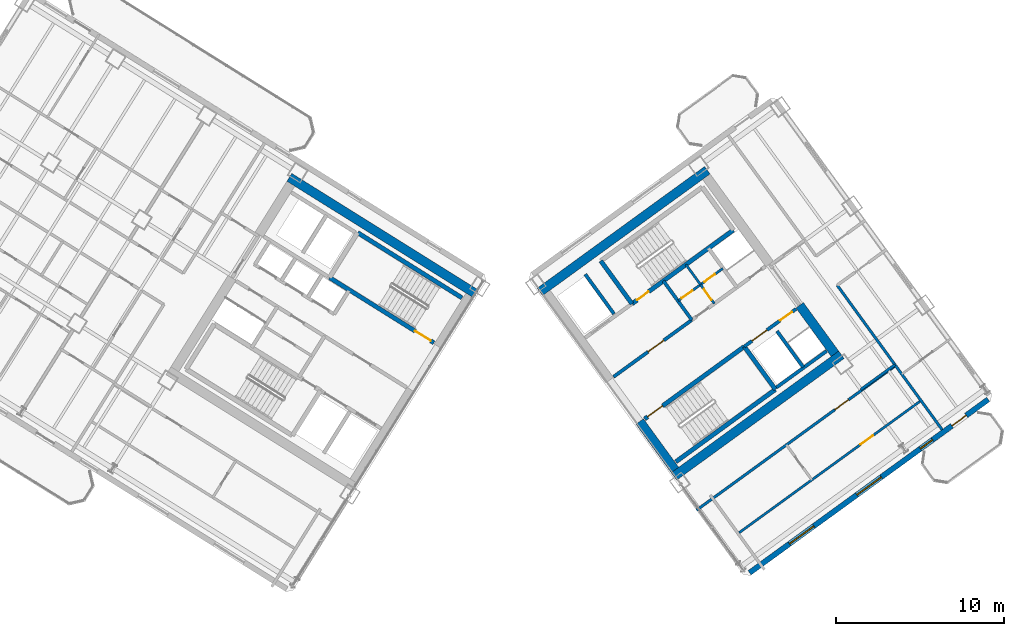
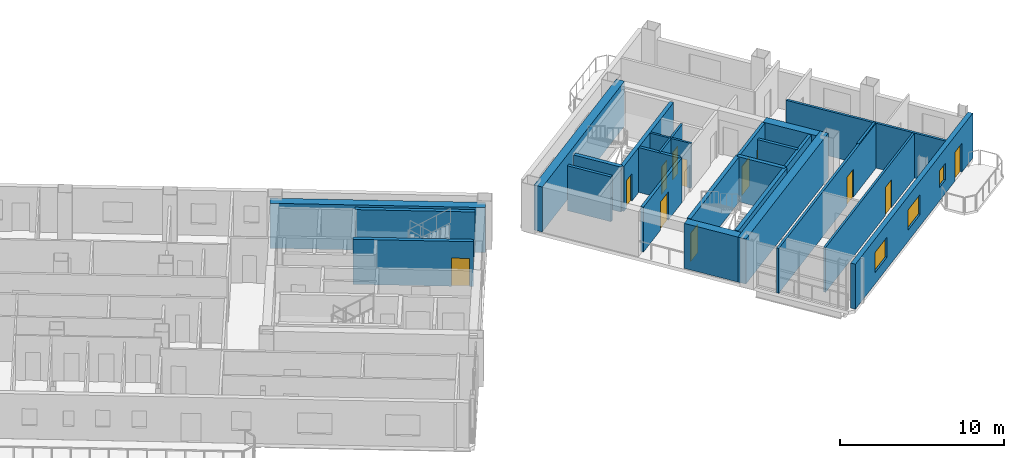
# One storey, part 13 of 18: 26 walls, 12 doors, 3 windows, 15 openings.
"""IFC4 building model written with IfcOpenShell, lengths in metres."""

from ifc_helpers import new_model, si_unit, direction, frame, frame_2d, origin, place, context, subcontext, project, spatial, rectangle, extrude, source, transform, mapped, material, layer, layer_set, type_object, element, fill, save


model = new_model("IFC4")

# Units and contexts
model_context = context("Model", 3, precision=1e-05, world=origin(), true_north=direction((0.0, 1.0)))
body_context = subcontext(model_context, "Body", "Model", "MODEL_VIEW")
ifc_project = project(units=[si_unit("LENGTHUNIT", "METRE"), si_unit("AREAUNIT", "SQUARE_METRE"), si_unit("VOLUMEUNIT", "CUBIC_METRE"), si_unit("PLANEANGLEUNIT", "RADIAN"), si_unit("MASSUNIT", "GRAM", prefix="KILO")], contexts=[model_context])

# Site, building, storey
site_placement = place(None, origin())
site = spatial("IfcSite", under=ifc_project, at=site_placement, CompositionType="ELEMENT")
building_placement = place(site_placement, origin())
building = spatial("IfcBuilding", under=site, at=building_placement, Name="Tlacorven Tower", CompositionType="ELEMENT")
storey_placement = place(building_placement, frame((0.0, 0.0, 140.699951171875)))
storey = spatial("IfcBuildingStorey", under=building, at=storey_placement, Name="L35", CompositionType="ELEMENT", Elevation=140.699951171875)

# Walls
ifc_material_1 = material(Name="Concrete C60/75", Category="concrete")
ifc_layer_1 = layer(ifc_material_1, 0.550048828125)
ifc_layer_set_1 = layer_set([ifc_layer_1], Name="Concrete C60/75")
wall_type_1 = type_object("IfcWallType", Name="WL-COR-550", PredefinedType="SHEAR", material=ifc_layer_set_1)
wall_1_placement = place(storey_placement, frame((40.572998046875, 24.010009765625, 0.0), z_axis=(0.0, 0.0, 1.0), x_axis=(-0.848047359947, 0.529920442413, 0.0)))
element("IfcWall", 1, at=wall_1_placement, inside=storey, type_object=wall_type_1, Name="L35 W core shear wall S1", PredefinedType="SHEAR", context=body_context, shape_type="SweptSolid", body=[
    extrude(rectangle(XDim=13.139892578125, YDim=0.550048828125, at=frame_2d((6.56982421875, 0.0))), origin(), (0.0, 0.0, 1.0), 3.35009765625),
])
for number, where, z_axis, x_axis, name in (
    (2, (52.35888671875, 13.1396484375, 0.0), (0.0, 0.0, 1.0), (0.809014896919, 0.587788139183, 0.0), "L35 E core shear wall S1"),
    (3, (44.364990234375, 24.142333984375, 0.0), (0.0, 0.0, 1.0), (0.809024304885, 0.587775190107, 0.0), "L35 E core shear wall S2"),
):
    element("IfcWall", number, at=place(storey_placement, frame(where, z_axis=z_axis, x_axis=x_axis)), inside=storey, type_object=wall_type_1, Name=name, PredefinedType="SHEAR", context=body_context, shape_type="SweptSolid", body=[
        extrude(rectangle(XDim=12.340087890625, YDim=0.550048828125, at=frame_2d((6.169921875, 0.0))), origin(), (0.0, 0.0, 1.0), 3.35009765625),
    ])
for number, where, z_axis, x_axis, name in (
    (4, (52.419677734375, 13.52392578125, 0.0), (0.0, 0.0, 1.0), (-0.587802113096, 0.809004744015, 0.0), "L35 E core end wall E1.1"),
    (5, (61.9580078125, 20.453857421875, 0.0), (0.0, 0.0, 1.0), (-0.587802113096, 0.809004744015, 0.0), "L35 E core end wall E2.1"),
):
    element("IfcWall", number, at=place(storey_placement, frame(where, z_axis=z_axis, x_axis=x_axis)), inside=storey, type_object=wall_type_1, Name=name, PredefinedType="SHEAR", context=body_context, shape_type="SweptSolid", body=[
        extrude(rectangle(XDim=3.574951171875, YDim=0.550048828125, at=frame_2d((1.78759765625, 0.0))), origin(), (0.0, 0.0, 1.0), 3.35009765625),
    ])
ifc_material_2 = material(Name="Gypsum plasterboard acoustic partition", Category="gypsum")
ifc_layer_2 = layer(ifc_material_2, 0.159912109375)
ifc_layer_set_2 = layer_set([ifc_layer_2], Name="Gypsum plasterboard acoustic partition")
wall_type_2 = type_object("IfcWallType", Name="WL-DEM-160", PredefinedType="PARTITIONING", material=ifc_layer_set_2)
wall_2_placement = place(storey_placement, frame((63.5068359375, 18.322021484375, 0.0), z_axis=(0.0, 0.0, 1.0), x_axis=(0.809034604122, 0.587761013791, 0.0)))
element("IfcWall", 6, at=wall_2_placement, inside=storey, type_object=wall_type_2, Name="L35 partition 76", PredefinedType="PARTITIONING", context=body_context, shape_type="SweptSolid", body=[
    extrude(rectangle(XDim=2.510009765625, YDim=0.159912109375, at=frame_2d((1.2548828125, 0.0))), origin(), (0.0, 0.0, 1.0), 3.340087890625),
])
wall_3_placement = place(storey_placement, frame((68.35302734375, 15.922119140625, 0.0), z_axis=(0.0, 0.0, 1.0), x_axis=(-0.587783168305, 0.809018508476, 0.0)))
element("IfcWall", 7, at=wall_3_placement, inside=storey, type_object=wall_type_2, Name="L35 partition 78", PredefinedType="PARTITIONING", context=body_context, shape_type="SweptSolid", body=[
    extrude(rectangle(XDim=10.650146484375, YDim=0.159912109375, at=frame_2d((5.3251953125, 0.0))), origin(), (0.0, 0.0, 1.0), 3.340087890625),
])

# Wall, opening, door
wall_4_placement = place(storey_placement, frame((53.70458984375, 11.1259765625, 0.0), z_axis=(0.0, 0.0, 1.0), x_axis=(0.809014504436, 0.587788679384, 0.0)))
wall_4 = element("IfcWall", 8, at=wall_4_placement, inside=storey, type_object=wall_type_2, Name="L35 partition 84", PredefinedType="PARTITIONING", context=body_context, shape_type="SweptSolid", body=[
    extrude(rectangle(XDim=14.669921875, YDim=0.159912109375, at=frame_2d((7.3349609375, 0.0))), origin(), (0.0, 0.0, 1.0), 3.340087890625),
])
opening_1_placement = place(wall_4_placement, frame((10.199951171875, 0.0, 0.0)))
opening_1 = element("IfcOpeningElement", 9, at=opening_1_placement, cuts=wall_4, Name="Opening D11", PredefinedType="OPENING", context=body_context, shape_type="SweptSolid", body=[
    extrude(rectangle(XDim=1.0, YDim=2.10009765625, at=frame_2d((0.5, 1.050048828125))), frame((0.0, 0.08984375, 0.0), z_axis=(0.0, -1.0, 0.0), x_axis=(1.0, 0.0, 0.0)), (0.0, 0.0, 1.0), 0.179931640625),
])
ifc_material_3 = material(Name="Fire-rated steel door assembly", Category="steel")
door_type_1 = type_object("IfcDoorType", Name="DR-FLT-FD60-1000", OperationType="NOTDEFINED", PredefinedType="DOOR", material=ifc_material_3)
shared_shape_1 = source(origin(), body_context, "Body", "SweptSolid", [
    extrude(rectangle(XDim=1.0, YDim=2.10009765625, at=frame_2d((0.5, 1.050048828125))), frame((0.0, 0.02490234375, 0.0), z_axis=(0.0, -1.0, 0.0), x_axis=(1.0, 0.0, 0.0)), (0.0, 0.0, 1.0), 0.050048828125),
])
door_1_placement = place(opening_1_placement, origin())
door_1 = element("IfcDoor", 10, at=door_1_placement, inside=storey, type_object=door_type_1, Name="L35 door 053", OperationType="SINGLE_SWING_LEFT", OverallHeight=2.10009765625, OverallWidth=1.0, PredefinedType="DOOR", context=body_context, shape_type="MappedRepresentation", body=[
    mapped(shared_shape_1, transform((0.0, 0.0, 0.0), scale=1.0)),
])
fill(opening_1, door_1)

# Wall, openings, door, windows
ifc_material_4 = material(Name="Precast concrete C45/55", Category="concrete")
ifc_layer_3 = layer(ifc_material_4, 0.320068359375)
ifc_layer_set_3 = layer_set([ifc_layer_3], Name="Precast concrete C45/55")
wall_type_3 = type_object("IfcWallType", Name="WL-EXT-320", PredefinedType="STANDARD", material=ifc_layer_set_3)
wall_5_placement = place(storey_placement, frame((71.097900390625, 17.73095703125, 0.0), z_axis=(0.0, 0.0, 1.0), x_axis=(-0.809021120468, -0.587779573171, 0.0)))
wall_5 = element("IfcWall", 11, at=wall_5_placement, inside=storey, type_object=wall_type_3, Name="L35 Masonry-Frame Recessed Facade Wall 6", PredefinedType="STANDARD", context=body_context, shape_type="SweptSolid", body=[
    extrude(rectangle(XDim=17.587646484375, YDim=0.320068359375, at=frame_2d((8.7939453125, 0.0))), origin(), (0.0, 0.0, 1.0), 3.35009765625),
])
opening_2_placement = place(wall_5_placement, frame((1.623779296875, 0.0, 0.0)))
opening_2 = element("IfcOpeningElement", 12, at=opening_2_placement, cuts=wall_5, Name="Opening D06", PredefinedType="OPENING", context=body_context, shape_type="SweptSolid", body=[
    extrude(rectangle(XDim=1.050048828125, YDim=2.14990234375, at=frame_2d((0.52490234375, 1.074951171875))), frame((0.0, 0.169921875, 0.0), z_axis=(0.0, -1.0, 0.0), x_axis=(1.0, 0.0, 0.0)), (0.0, 0.0, 1.0), 0.340087890625),
])
opening_3_placement = place(wall_5_placement, frame((4.103759765625, 0.0, 1.0)))
opening_3 = element("IfcOpeningElement", 13, at=opening_3_placement, cuts=wall_5, Name="Opening WN05", PredefinedType="OPENING", context=body_context, shape_type="SweptSolid", body=[
    extrude(rectangle(XDim=0.89990234375, YDim=1.25, at=frame_2d((0.449951171875, 0.625))), frame((0.0, 0.169921875, 0.0), z_axis=(0.0, -1.0, 0.0), x_axis=(1.0, 0.0, 0.0)), (0.0, 0.0, 1.0), 0.340087890625),
])
opening_4_placement = place(wall_5_placement, frame((7.878662109375, 0.0, 0.85009765625)))
opening_4 = element("IfcOpeningElement", 14, at=opening_4_placement, cuts=wall_5, Name="Opening WN01", PredefinedType="OPENING", context=body_context, shape_type="SweptSolid", body=[
    extrude(rectangle(XDim=1.800048828125, YDim=1.5, at=frame_2d((0.89990234375, 0.75))), frame((0.0, 0.169921875, 0.0), z_axis=(0.0, -1.0, 0.0), x_axis=(1.0, 0.0, 0.0)), (0.0, 0.0, 1.0), 0.340087890625),
])
opening_5_placement = place(wall_5_placement, frame((12.8486328125, 0.0, 0.85009765625)))
opening_5 = element("IfcOpeningElement", 15, at=opening_5_placement, cuts=wall_5, Name="Opening WN01", PredefinedType="OPENING", context=body_context, shape_type="SweptSolid", body=[
    extrude(rectangle(XDim=1.800048828125, YDim=1.5, at=frame_2d((0.89990234375, 0.75))), frame((0.0, 0.169921875, 0.0), z_axis=(0.0, -1.0, 0.0), x_axis=(1.0, 0.0, 0.0)), (0.0, 0.0, 1.0), 0.340087890625),
])
ifc_material_5 = material(Name="Powder-coated aluminium and timber door", Category="wood")
door_type_2 = type_object("IfcDoorType", Name="DR-EXT-BALC-1050", OperationType="NOTDEFINED", PredefinedType="DOOR", material=ifc_material_5)
shared_shape_2 = source(origin(), body_context, "Body", "SweptSolid", [
    extrude(rectangle(XDim=1.050048828125, YDim=2.14990234375, at=frame_2d((0.52490234375, 1.074951171875))), frame((0.0, 0.02490234375, 0.0), z_axis=(0.0, -1.0, 0.0), x_axis=(1.0, 0.0, 0.0)), (0.0, 0.0, 1.0), 0.050048828125),
])
door_2_placement = place(opening_2_placement, origin())
door_2 = element("IfcDoor", 16, at=door_2_placement, inside=storey, type_object=door_type_2, Name="L35 Outdoor Access Door BAL-L35-E-OUT", OperationType="SINGLE_SWING_LEFT", OverallHeight=2.14990234375, OverallWidth=1.050048828125, PredefinedType="DOOR", context=body_context, shape_type="MappedRepresentation", body=[
    mapped(shared_shape_2, transform((0.0, 0.0, 0.0), scale=1.0)),
])
fill(opening_2, door_2)
ifc_material_6 = material(Name="Dark solar low-E double glazing in anodised aluminium frame", Category="aluminium")
window_type_1 = type_object("IfcWindowType", Name="WN-APT-1800X1650", PartitioningType="SINGLE_PANEL", PredefinedType="WINDOW", material=ifc_material_6)
shared_shape_3 = source(origin(), body_context, "Body", "SweptSolid", [
    extrude(rectangle(XDim=1.800048828125, YDim=1.5, at=frame_2d((0.89990234375, 0.75))), frame((0.0, 0.030029296875, 0.0), z_axis=(0.0, -1.0, 0.0), x_axis=(1.0, 0.0, 0.0)), (0.0, 0.0, 1.0), 0.06005859375),
])
window_1_placement = place(opening_4_placement, origin())
window_1 = element("IfcWindow", 17, at=window_1_placement, inside=storey, type_object=window_type_1, Name="L35 Recessed Masonry-Frame Window L35-06.2", OverallHeight=1.5, OverallWidth=1.800048828125, PartitioningType="SINGLE_PANEL", PredefinedType="WINDOW", context=body_context, shape_type="MappedRepresentation", body=[
    mapped(shared_shape_3, transform((0.0, 0.0, 0.0), scale=1.0)),
])
fill(opening_4, window_1)
window_2_placement = place(opening_5_placement, origin())
window_2 = element("IfcWindow", 18, at=window_2_placement, inside=storey, type_object=window_type_1, Name="L35 Recessed Masonry-Frame Window L35-06.3", OverallHeight=1.5, OverallWidth=1.800048828125, PartitioningType="SINGLE_PANEL", PredefinedType="WINDOW", context=body_context, shape_type="MappedRepresentation", body=[
    mapped(shared_shape_3, transform((0.0, 0.0, 0.0), scale=1.0)),
])
fill(opening_5, window_2)
window_type_2 = type_object("IfcWindowType", Name="WN-APT-0900X1350", PartitioningType="SINGLE_PANEL", PredefinedType="WINDOW", material=ifc_material_6)
shared_shape_4 = source(origin(), body_context, "Body", "SweptSolid", [
    extrude(rectangle(XDim=0.89990234375, YDim=1.25, at=frame_2d((0.449951171875, 0.625))), frame((0.0, 0.030029296875, 0.0), z_axis=(0.0, -1.0, 0.0), x_axis=(1.0, 0.0, 0.0)), (0.0, 0.0, 1.0), 0.06005859375),
])
window_3_placement = place(opening_3_placement, origin())
window_3 = element("IfcWindow", 19, at=window_3_placement, inside=storey, type_object=window_type_2, Name="L35 Recessed Masonry-Frame Window L35-06.1", OverallHeight=1.25, OverallWidth=0.89990234375, PartitioningType="SINGLE_PANEL", PredefinedType="WINDOW", context=body_context, shape_type="MappedRepresentation", body=[
    mapped(shared_shape_4, transform((0.0, 0.0, 0.0), scale=1.0)),
])
fill(opening_3, window_3)

# Wall, opening, door
ifc_material_7 = material(Name="Moisture-resistant gypsum plumbing wall", Category="gypsum")
ifc_layer_4 = layer(ifc_material_7, 0.139892578125)
ifc_layer_set_4 = layer_set([ifc_layer_4], Name="Moisture-resistant gypsum plumbing wall")
wall_type_4 = type_object("IfcWallType", Name="WL-PLM-140", PredefinedType="PLUMBINGWALL", material=ifc_layer_set_4)
wall_6_placement = place(storey_placement, frame((54.767578125, 23.443359375, 0.0), z_axis=(0.0, 0.0, 1.0), x_axis=(-0.587736077749, 0.809052719489, 0.0)))
wall_6 = element("IfcWall", 20, at=wall_6_placement, inside=storey, type_object=wall_type_4, Name="L35 partition 42", PredefinedType="PLUMBINGWALL", context=body_context, shape_type="SweptSolid", body=[
    extrude(rectangle(XDim=1.39990234375, YDim=0.139892578125, at=frame_2d((0.699951171875, 0.0))), origin(), (0.0, 0.0, 1.0), 3.340087890625),
])
opening_6_placement = place(wall_6_placement, frame((0.280029296875, 0.0, 0.0)))
opening_6 = element("IfcOpeningElement", 21, at=opening_6_placement, cuts=wall_6, Name="Opening D22", PredefinedType="OPENING", context=body_context, shape_type="SweptSolid", body=[
    extrude(rectangle(XDim=0.780029296875, YDim=2.050048828125, at=frame_2d((0.39013671875, 1.02490234375))), frame((0.0, 0.080078125, 0.0), z_axis=(0.0, -1.0, 0.0), x_axis=(1.0, 0.0, 0.0)), (0.0, 0.0, 1.0), 0.159912109375),
])
door_type_3 = type_object("IfcDoorType", Name="DR-INT-WET-0780", OperationType="NOTDEFINED", PredefinedType="DOOR", material=ifc_material_5)
shared_shape_5 = source(origin(), body_context, "Body", "SweptSolid", [
    extrude(rectangle(XDim=0.780029296875, YDim=2.050048828125, at=frame_2d((0.39013671875, 1.02490234375))), frame((0.0, 0.02490234375, 0.0), z_axis=(0.0, -1.0, 0.0), x_axis=(1.0, 0.0, 0.0)), (0.0, 0.0, 1.0), 0.050048828125),
])
door_3_placement = place(opening_6_placement, origin())
door_3 = element("IfcDoor", 22, at=door_3_placement, inside=storey, type_object=door_type_3, Name="L35 door 020", OperationType="SINGLE_SWING_LEFT", OverallHeight=2.050048828125, OverallWidth=0.780029296875, PredefinedType="DOOR", context=body_context, shape_type="MappedRepresentation", body=[
    mapped(shared_shape_5, transform((0.0, 0.0, 0.0), scale=1.0)),
])
fill(opening_6, door_3)

# Wall
wall_7_placement = place(storey_placement, frame((53.94482421875, 24.575927734375, 0.0), z_axis=(0.0, 0.0, 1.0), x_axis=(-0.587897037186, 0.808935766095, 0.0)))
element("IfcWall", 23, at=wall_7_placement, inside=storey, type_object=wall_type_4, Name="L35 partition 43", PredefinedType="PLUMBINGWALL", context=body_context, shape_type="SweptSolid", body=[
    extrude(rectangle(XDim=1.47998046875, YDim=0.139892578125, at=frame_2d((0.739990234375, 0.0))), origin(), (0.0, 0.0, 1.0), 3.340087890625),
])

# Wall, openings, doors
wall_8_placement = place(storey_placement, frame((52.617919921875, 23.612060546875, 0.0), z_axis=(0.0, 0.0, 1.0), x_axis=(0.809009587469, 0.587795446889, 0.0)))
wall_8 = element("IfcWall", 24, at=wall_8_placement, inside=storey, type_object=wall_type_4, Name="L35 partition 44", PredefinedType="PLUMBINGWALL", context=body_context, shape_type="SweptSolid", body=[
    extrude(rectangle(XDim=3.280029296875, YDim=0.139892578125, at=frame_2d((1.64013671875, 0.0))), origin(), (0.0, 0.0, 1.0), 3.340087890625),
])
opening_7_placement = place(wall_8_placement, frame((0.25, 0.0, 0.0)))
opening_7 = element("IfcOpeningElement", 25, at=opening_7_placement, cuts=wall_8, Name="Opening D22", PredefinedType="OPENING", context=body_context, shape_type="SweptSolid", body=[
    extrude(rectangle(XDim=0.780029296875, YDim=2.050048828125, at=frame_2d((0.39013671875, 1.02490234375))), frame((0.0, 0.080078125, 0.0), z_axis=(0.0, -1.0, 0.0), x_axis=(1.0, 0.0, 0.0)), (0.0, 0.0, 1.0), 0.159912109375),
])
opening_8_placement = place(wall_8_placement, frame((1.919921875, 0.0, 0.0)))
opening_8 = element("IfcOpeningElement", 26, at=opening_8_placement, cuts=wall_8, Name="Opening D22", PredefinedType="OPENING", context=body_context, shape_type="SweptSolid", body=[
    extrude(rectangle(XDim=0.780029296875, YDim=2.050048828125, at=frame_2d((0.39013671875, 1.02490234375))), frame((0.0, 0.080078125, 0.0), z_axis=(0.0, -1.0, 0.0), x_axis=(1.0, 0.0, 0.0)), (0.0, 0.0, 1.0), 0.159912109375),
])
door_4_placement = place(opening_7_placement, origin())
door_4 = element("IfcDoor", 27, at=door_4_placement, inside=storey, type_object=door_type_3, Name="L35 door 021", OperationType="SINGLE_SWING_RIGHT", OverallHeight=2.050048828125, OverallWidth=0.780029296875, PredefinedType="DOOR", context=body_context, shape_type="MappedRepresentation", body=[
    mapped(shared_shape_5, transform((0.0, 0.0, 0.0), scale=1.0)),
])
fill(opening_7, door_4)
door_5_placement = place(opening_8_placement, origin())
door_5 = element("IfcDoor", 28, at=door_5_placement, inside=storey, type_object=door_type_3, Name="L35 door 022", OperationType="SINGLE_SWING_LEFT", OverallHeight=2.050048828125, OverallWidth=0.780029296875, PredefinedType="DOOR", context=body_context, shape_type="MappedRepresentation", body=[
    mapped(shared_shape_5, transform((0.0, 0.0, 0.0), scale=1.0)),
])
fill(opening_8, door_5)

# Wall, opening, door
wall_9_placement = place(storey_placement, frame((56.24853515625, 9.78515625, 0.0), z_axis=(0.0, 0.0, 1.0), x_axis=(0.809011747655, 0.587792473715, 0.0)))
wall_9 = element("IfcWall", 29, at=wall_9_placement, inside=storey, type_object=wall_type_4, Name="L35 partition 86", PredefinedType="PLUMBINGWALL", context=body_context, shape_type="SweptSolid", body=[
    extrude(rectangle(XDim=13.400146484375, YDim=0.139892578125, at=frame_2d((6.7001953125, 0.0))), origin(), (0.0, 0.0, 1.0), 3.340087890625),
])
opening_9_placement = place(wall_9_placement, frame((8.93994140625, 0.0, 0.0)))
opening_9 = element("IfcOpeningElement", 30, at=opening_9_placement, cuts=wall_9, Name="Opening D12", PredefinedType="OPENING", context=body_context, shape_type="SweptSolid", body=[
    extrude(rectangle(XDim=0.919921875, YDim=2.080078125, at=frame_2d((0.4599609375, 1.0400390625))), frame((0.0, 0.080078125, 0.0), z_axis=(0.0, -1.0, 0.0), x_axis=(1.0, 0.0, 0.0)), (0.0, 0.0, 1.0), 0.159912109375),
])
door_type_4 = type_object("IfcDoorType", Name="DR-INT-ROOM-0920", OperationType="NOTDEFINED", PredefinedType="DOOR", material=ifc_material_5)
shared_shape_6 = source(origin(), body_context, "Body", "SweptSolid", [
    extrude(rectangle(XDim=0.919921875, YDim=2.080078125, at=frame_2d((0.4599609375, 1.0400390625))), frame((0.0, 0.02490234375, 0.0), z_axis=(0.0, -1.0, 0.0), x_axis=(1.0, 0.0, 0.0)), (0.0, 0.0, 1.0), 0.050048828125),
])
door_6_placement = place(opening_9_placement, origin())
door_6 = element("IfcDoor", 31, at=door_6_placement, inside=storey, type_object=door_type_4, Name="L35 door 054", OperationType="SINGLE_SWING_RIGHT", OverallHeight=2.080078125, OverallWidth=0.919921875, PredefinedType="DOOR", context=body_context, shape_type="MappedRepresentation", body=[
    mapped(shared_shape_6, transform((0.0, 0.0, 0.0), scale=1.0)),
])
fill(opening_9, door_6)

ifc_material_8 = material(Name="Concrete C40/50", Category="concrete")
ifc_layer_5 = layer(ifc_material_8, 0.199951171875)
ifc_layer_set_5 = layer_set([ifc_layer_5], Name="Concrete C40/50")
wall_type_5 = type_object("IfcWallType", Name="WL-SHF-200", PredefinedType="STANDARD", material=ifc_layer_set_5)
wall_10_placement = place(storey_placement, frame((48.75830078125, 19.0771484375, 0.0), z_axis=(0.0, 0.0, 1.0), x_axis=(0.809005065155, 0.587801671104, 0.0)))
wall_10 = element("IfcWall", 32, at=wall_10_placement, inside=storey, type_object=wall_type_5, Name="L35 Core E Smoke Lobby Wall", PredefinedType="STANDARD", context=body_context, shape_type="SweptSolid", body=[
    extrude(rectangle(XDim=5.767822265625, YDim=0.199951171875, at=frame_2d((2.8837890625, 0.0))), origin(), (0.0, 0.0, 1.0), 3.340087890625),
])
opening_10_placement = place(wall_10_placement, frame((2.548095703125, 0.0, 0.0)))
opening_10 = element("IfcOpeningElement", 33, at=opening_10_placement, cuts=wall_10, Name="Opening D09", PredefinedType="OPENING", context=body_context, shape_type="SweptSolid", body=[
    extrude(rectangle(XDim=1.14990234375, YDim=2.10009765625, at=frame_2d((0.574951171875, 1.050048828125))), frame((0.0, 0.10986328125, 0.0), z_axis=(0.0, -1.0, 0.0), x_axis=(1.0, 0.0, 0.0)), (0.0, 0.0, 1.0), 0.219970703125),
])
door_type_5 = type_object("IfcDoorType", Name="DR-FFL-FD60-1150", OperationType="NOTDEFINED", PredefinedType="DOOR", material=ifc_material_3)
shared_shape_7 = source(origin(), body_context, "Body", "SweptSolid", [
    extrude(rectangle(XDim=1.14990234375, YDim=2.10009765625, at=frame_2d((0.574951171875, 1.050048828125))), frame((0.0, 0.02490234375, 0.0), z_axis=(0.0, -1.0, 0.0), x_axis=(1.0, 0.0, 0.0)), (0.0, 0.0, 1.0), 0.050048828125),
])
door_7_placement = place(opening_10_placement, origin())
door_7 = element("IfcDoor", 34, at=door_7_placement, inside=storey, type_object=door_type_5, Name="L35 Firefighting Lobby E Fire Door", OperationType="SINGLE_SWING_LEFT", OverallHeight=2.10009765625, OverallWidth=1.14990234375, PredefinedType="DOOR", context=body_context, shape_type="MappedRepresentation", body=[
    mapped(shared_shape_7, transform((0.0, 0.0, 0.0), scale=1.0)),
])
fill(opening_10, door_7)

# Wall, openings, doors
wall_11_placement = place(storey_placement, frame((56.552978515625, 20.884033203125, 0.0), z_axis=(0.0, 0.0, 1.0), x_axis=(0.809023564264, 0.58777620951, 0.0)))
wall_11 = element("IfcWall", 35, at=wall_11_placement, inside=storey, type_object=wall_type_5, Name="L35 Core E South Lift Shaft Wall", PredefinedType="STANDARD", context=body_context, shape_type="SweptSolid", body=[
    extrude(rectangle(XDim=3.818115234375, YDim=0.199951171875, at=frame_2d((1.9091796875, 0.0))), origin(), (0.0, 0.0, 1.0), 3.340087890625),
])
opening_11_placement = place(wall_11_placement, frame((0.570068359375, 0.0, 0.0)))
opening_11 = element("IfcOpeningElement", 36, at=opening_11_placement, cuts=wall_11, Name="Opening LD01", PredefinedType="OPENING", context=body_context, shape_type="SweptSolid", body=[
    extrude(rectangle(XDim=1.10009765625, YDim=2.14990234375, at=frame_2d((0.550048828125, 1.074951171875))), frame((0.0, 0.10986328125, 0.0), z_axis=(0.0, -1.0, 0.0), x_axis=(1.0, 0.0, 0.0)), (0.0, 0.0, 1.0), 0.219970703125),
])
opening_12_placement = place(wall_11_placement, frame((2.64990234375, 0.0, 0.0)))
opening_12 = element("IfcOpeningElement", 37, at=opening_12_placement, cuts=wall_11, Name="Opening D19", PredefinedType="OPENING", context=body_context, shape_type="SweptSolid", body=[
    extrude(rectangle(XDim=0.860107421875, YDim=2.050048828125, at=frame_2d((0.43017578125, 1.02490234375))), frame((0.0, 0.10986328125, 0.0), z_axis=(0.0, -1.0, 0.0), x_axis=(1.0, 0.0, 0.0)), (0.0, 0.0, 1.0), 0.219970703125),
])
door_type_6 = type_object("IfcDoorType", Name="DR-RSR-FD60-0860", OperationType="NOTDEFINED", PredefinedType="DOOR", material=ifc_material_3)
shared_shape_8 = source(origin(), body_context, "Body", "SweptSolid", [
    extrude(rectangle(XDim=0.860107421875, YDim=2.050048828125, at=frame_2d((0.43017578125, 1.02490234375))), frame((0.0, 0.02490234375, 0.0), z_axis=(0.0, -1.0, 0.0), x_axis=(1.0, 0.0, 0.0)), (0.0, 0.0, 1.0), 0.050048828125),
])
door_8_placement = place(opening_12_placement, origin())
door_8 = element("IfcDoor", 38, at=door_8_placement, inside=storey, type_object=door_type_6, Name="L35 Smoke Extract Riser Access Door", OperationType="SINGLE_SWING_RIGHT", OverallHeight=2.050048828125, OverallWidth=0.860107421875, PredefinedType="DOOR", context=body_context, shape_type="MappedRepresentation", body=[
    mapped(shared_shape_8, transform((0.0, 0.0, 0.0), scale=1.0)),
])
fill(opening_12, door_8)
door_type_7 = type_object("IfcDoorType", Name="DR-LFT-SLID-1100", OperationType="DOUBLE_DOOR_SLIDING", PredefinedType="DOOR", material=ifc_material_3)
shared_shape_9 = source(origin(), body_context, "Body", "SweptSolid", [
    extrude(rectangle(XDim=1.10009765625, YDim=2.14990234375, at=frame_2d((0.550048828125, 1.074951171875))), frame((0.0, 0.02490234375, 0.0), z_axis=(0.0, -1.0, 0.0), x_axis=(1.0, 0.0, 0.0)), (0.0, 0.0, 1.0), 0.050048828125),
])
door_9_placement = place(opening_11_placement, origin())
door_9 = element("IfcDoor", 39, at=door_9_placement, inside=storey, type_object=door_type_7, Name="L35 Lift PL-M4 Sliding Landing Door", OperationType="DOUBLE_DOOR_SLIDING", OverallHeight=2.14990234375, OverallWidth=1.10009765625, PredefinedType="DOOR", context=body_context, shape_type="MappedRepresentation", body=[
    mapped(shared_shape_9, transform((0.0, 0.0, 0.0), scale=1.0)),
])
fill(opening_11, door_9)

# Walls
wall_12_placement = place(storey_placement, frame((48.78564453125, 22.830078125, 0.0), z_axis=(0.0, 0.0, 1.0), x_axis=(-0.587783856777, 0.809018008275, 0.0)))
element("IfcWall", 40, at=wall_12_placement, inside=storey, type_object=wall_type_5, Name="L35 partition 34", PredefinedType="STANDARD", context=body_context, shape_type="SweptSolid", body=[
    extrude(rectangle(XDim=2.919921875, YDim=0.199951171875, at=frame_2d((1.4599609375, 0.0))), origin(), (0.0, 0.0, 1.0), 3.340087890625),
])
wall_13_placement = place(storey_placement, frame((60.066650390625, 19.654541015625, 0.0), z_axis=(0.0, 0.0, 1.0), x_axis=(-0.587800520745, 0.809005900975, 0.0)))
element("IfcWall", 41, at=wall_13_placement, inside=storey, type_object=wall_type_5, Name="L35 partition 35", PredefinedType="STANDARD", context=body_context, shape_type="SweptSolid", body=[
    extrude(rectangle(XDim=2.659912109375, YDim=0.199951171875, at=frame_2d((1.330078125, 0.0))), origin(), (0.0, 0.0, 1.0), 3.340087890625),
])
wall_14_placement = place(storey_placement, frame((58.47216796875, 18.446533203125, 0.0), z_axis=(0.0, 0.0, 1.0), x_axis=(0.809018631237, 0.587782999339, 0.0)))
element("IfcWall", 42, at=wall_14_placement, inside=storey, type_object=wall_type_5, Name="L35 partition 37", PredefinedType="STANDARD", context=body_context, shape_type="SweptSolid", body=[
    extrude(rectangle(XDim=3.697998046875, YDim=0.199951171875, at=frame_2d((1.84912109375, 0.0))), origin(), (0.0, 0.0, 1.0), 3.340087890625),
])
wall_15_placement = place(storey_placement, frame((53.424560546875, 22.467529296875, 0.0), z_axis=(0.0, 0.0, 1.0), x_axis=(-0.5877230039, 0.809062216821, 0.0)))
element("IfcWall", 43, at=wall_15_placement, inside=storey, type_object=wall_type_5, Name="L35 partition 39", PredefinedType="STANDARD", context=body_context, shape_type="SweptSolid", body=[
    extrude(rectangle(XDim=2.8798828125, YDim=0.199951171875, at=frame_2d((1.43994140625, 0.0))), origin(), (0.0, 0.0, 1.0), 3.340087890625),
])
ifc_material_9 = material(Name="Concrete C50/60", Category="concrete")
ifc_layer_6 = layer(ifc_material_9, 0.260009765625)
ifc_layer_set_6 = layer_set([ifc_layer_6], Name="Concrete C50/60")
wall_type_6 = type_object("IfcWallType", Name="WL-STW-260", PredefinedType="SHEAR", material=ifc_layer_set_6)
wall_16_placement = place(storey_placement, frame((39.720947265625, 23.787841796875, 0.0), z_axis=(0.0, 0.0, 1.0), x_axis=(-0.848054434086, 0.529909121291, 0.0)))
element("IfcWall", 44, at=wall_16_placement, inside=storey, type_object=wall_type_6, Name="L35 Stair W2 Far Shear Wall", PredefinedType="SHEAR", context=body_context, shape_type="SweptSolid", body=[
    extrude(rectangle(XDim=7.330078125, YDim=0.260009765625, at=frame_2d((3.6650390625, 0.0))), origin(), (0.0, 0.0, 1.0), 3.35009765625),
])

# Wall, opening, door
wall_17_placement = place(storey_placement, frame((38.04638671875, 21.10791015625, 0.0), z_axis=(0.0, 0.0, 1.0), x_axis=(-0.848054434086, 0.529909121291, 0.0)))
wall_17 = element("IfcWall", 45, at=wall_17_placement, inside=storey, type_object=wall_type_6, Name="L35 Stair W2 Lobby Shear Wall", PredefinedType="SHEAR", context=body_context, shape_type="SweptSolid", body=[
    extrude(rectangle(XDim=7.330078125, YDim=0.260009765625, at=frame_2d((3.6650390625, 0.0))), origin(), (0.0, 0.0, 1.0), 3.35009765625),
])
opening_13_placement = place(wall_17_placement, frame((0.219970703125, 0.0, 0.0)))
opening_13 = element("IfcOpeningElement", 46, at=opening_13_placement, cuts=wall_17, Name="Opening D07", PredefinedType="OPENING", context=body_context, shape_type="SweptSolid", body=[
    extrude(rectangle(XDim=1.10009765625, YDim=2.10009765625, at=frame_2d((0.550048828125, 1.050048828125))), frame((0.0, 0.14013671875, 0.0), z_axis=(0.0, -1.0, 0.0), x_axis=(1.0, 0.0, 0.0)), (0.0, 0.0, 1.0), 0.280029296875),
])
door_type_8 = type_object("IfcDoorType", Name="DR-STR-FD90-1100", OperationType="NOTDEFINED", PredefinedType="DOOR", material=ifc_material_3)
shared_shape_10 = source(origin(), body_context, "Body", "SweptSolid", [
    extrude(rectangle(XDim=1.10009765625, YDim=2.10009765625, at=frame_2d((0.550048828125, 1.050048828125))), frame((0.0, 0.02490234375, 0.0), z_axis=(0.0, -1.0, 0.0), x_axis=(1.0, 0.0, 0.0)), (0.0, 0.0, 1.0), 0.050048828125),
])
door_10_placement = place(opening_13_placement, origin())
door_10 = element("IfcDoor", 47, at=door_10_placement, inside=storey, type_object=door_type_8, Name="L35 Exit Stair W2 Fire Door", OperationType="SINGLE_SWING_RIGHT", OverallHeight=2.10009765625, OverallWidth=1.10009765625, PredefinedType="DOOR", context=body_context, shape_type="MappedRepresentation", body=[
    mapped(shared_shape_10, transform((0.0, 0.0, 0.0), scale=1.0)),
])
fill(opening_13, door_10)

wall_18_placement = place(storey_placement, frame((49.863037109375, 23.439697265625, 0.0), z_axis=(0.0, 0.0, 1.0), x_axis=(0.809003474932, 0.587803859759, 0.0)))
wall_18 = element("IfcWall", 48, at=wall_18_placement, inside=storey, type_object=wall_type_6, Name="L35 Stair E1 Lobby Shear Wall", PredefinedType="SHEAR", context=body_context, shape_type="SweptSolid", body=[
    extrude(rectangle(XDim=7.4599609375, YDim=0.260009765625, at=frame_2d((3.72998046875, 0.0))), origin(), (0.0, 0.0, 1.0), 3.35009765625),
])
opening_14_placement = place(wall_18_placement, frame((0.360107421875, 0.0, 0.0)))
opening_14 = element("IfcOpeningElement", 49, at=opening_14_placement, cuts=wall_18, Name="Opening D19", PredefinedType="OPENING", context=body_context, shape_type="SweptSolid", body=[
    extrude(rectangle(XDim=0.860107421875, YDim=2.050048828125, at=frame_2d((0.43017578125, 1.02490234375))), frame((0.0, 0.14013671875, 0.0), z_axis=(0.0, -1.0, 0.0), x_axis=(1.0, 0.0, 0.0)), (0.0, 0.0, 1.0), 0.280029296875),
])
door_11_placement = place(opening_14_placement, frame((0.860107421875, 0.0, 0.0), z_axis=(0.0, 0.0, 1.0), x_axis=(-1.0, 0.0, 0.0)))
door_11 = element("IfcDoor", 50, at=door_11_placement, inside=storey, type_object=door_type_6, Name="L35 Exit Stair E1 Fire Door", OperationType="SINGLE_SWING_LEFT", OverallHeight=2.050048828125, OverallWidth=0.860107421875, PredefinedType="DOOR", context=body_context, shape_type="MappedRepresentation", body=[
    mapped(shared_shape_8, transform((0.0, 0.0, 0.0), scale=1.0)),
])
fill(opening_14, door_11)

# Walls
wall_19_placement = place(storey_placement, frame((49.85498046875, 23.433837890625, 0.0), z_axis=(0.0, 0.0, 1.0), x_axis=(-0.58776738483, 0.809029975545, 0.0)))
element("IfcWall", 51, at=wall_19_placement, inside=storey, type_object=wall_type_6, Name="L35 Stair E1 West Shear Wall", PredefinedType="SHEAR", context=body_context, shape_type="SweptSolid", body=[
    extrude(rectangle(XDim=3.16015625, YDim=0.260009765625, at=frame_2d((1.580078125, 0.0))), origin(), (0.0, 0.0, 1.0), 3.35009765625),
])
wall_20_placement = place(storey_placement, frame((52.47216796875, 14.01318359375, 0.0), z_axis=(0.0, 0.0, 1.0), x_axis=(0.809028366311, 0.587769599847, 0.0)))
element("IfcWall", 52, at=wall_20_placement, inside=storey, type_object=wall_type_6, Name="L35 Stair E2 Far Shear Wall", PredefinedType="SHEAR", context=body_context, shape_type="SweptSolid", body=[
    extrude(rectangle(XDim=7.330078125, YDim=0.260009765625, at=frame_2d((3.6650390625, 0.0))), origin(), (0.0, 0.0, 1.0), 3.35009765625),
])

# Wall, opening, door
wall_21_placement = place(storey_placement, frame((50.61474609375, 16.569580078125, 0.0), z_axis=(0.0, 0.0, 1.0), x_axis=(0.809028366311, 0.587769599847, 0.0)))
wall_21 = element("IfcWall", 53, at=wall_21_placement, inside=storey, type_object=wall_type_6, Name="L35 Stair E2 Lobby Shear Wall", PredefinedType="SHEAR", context=body_context, shape_type="SweptSolid", body=[
    extrude(rectangle(XDim=7.330078125, YDim=0.260009765625, at=frame_2d((3.6650390625, 0.0))), origin(), (0.0, 0.0, 1.0), 3.35009765625),
])
opening_15_placement = place(wall_21_placement, frame((0.219970703125, 0.0, 0.0)))
opening_15 = element("IfcOpeningElement", 54, at=opening_15_placement, cuts=wall_21, Name="Opening D07", PredefinedType="OPENING", context=body_context, shape_type="SweptSolid", body=[
    extrude(rectangle(XDim=1.10009765625, YDim=2.10009765625, at=frame_2d((0.550048828125, 1.050048828125))), frame((0.0, 0.14013671875, 0.0), z_axis=(0.0, -1.0, 0.0), x_axis=(1.0, 0.0, 0.0)), (0.0, 0.0, 1.0), 0.280029296875),
])
door_12_placement = place(opening_15_placement, origin())
door_12 = element("IfcDoor", 55, at=door_12_placement, inside=storey, type_object=door_type_8, Name="L35 Exit Stair E2 Fire Door", OperationType="SINGLE_SWING_RIGHT", OverallHeight=2.10009765625, OverallWidth=1.10009765625, PredefinedType="DOOR", context=body_context, shape_type="MappedRepresentation", body=[
    mapped(shared_shape_10, transform((0.0, 0.0, 0.0), scale=1.0)),
])
fill(opening_15, door_12)

# Wall
wall_22_placement = place(storey_placement, frame((58.410400390625, 18.327392578125, 0.0), z_axis=(0.0, 0.0, 1.0), x_axis=(-0.58776738483, 0.809029975545, 0.0)))
element("IfcWall", 56, at=wall_22_placement, inside=storey, type_object=wall_type_6, Name="L35 Stair E2 East Shear Wall", PredefinedType="SHEAR", context=body_context, shape_type="SweptSolid", body=[
    extrude(rectangle(XDim=3.16015625, YDim=0.260009765625, at=frame_2d((1.580078125, 0.0))), origin(), (0.0, 0.0, 1.0), 3.35009765625),
])

save(model, "model.ifc")
